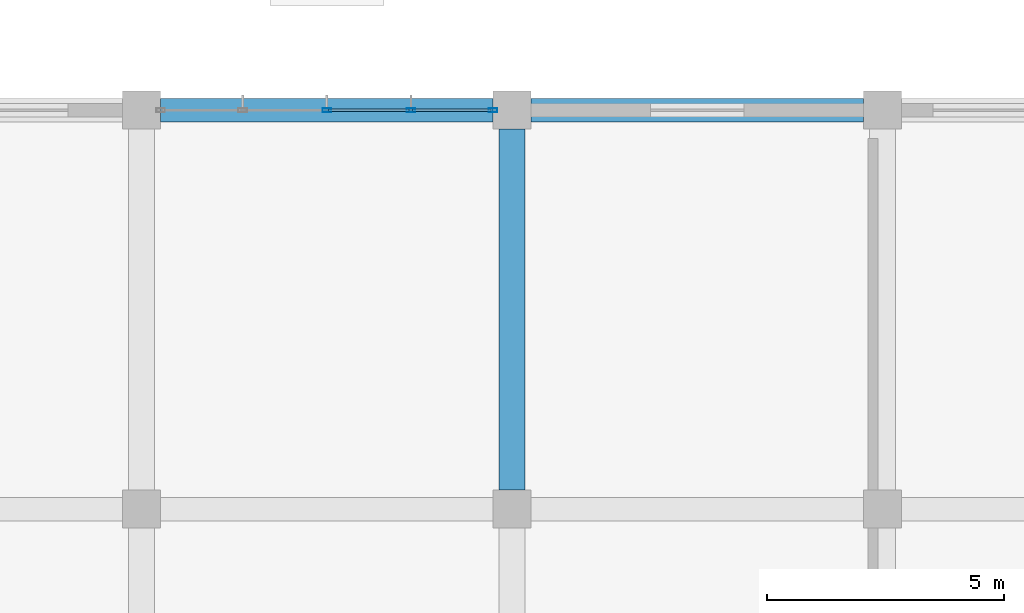
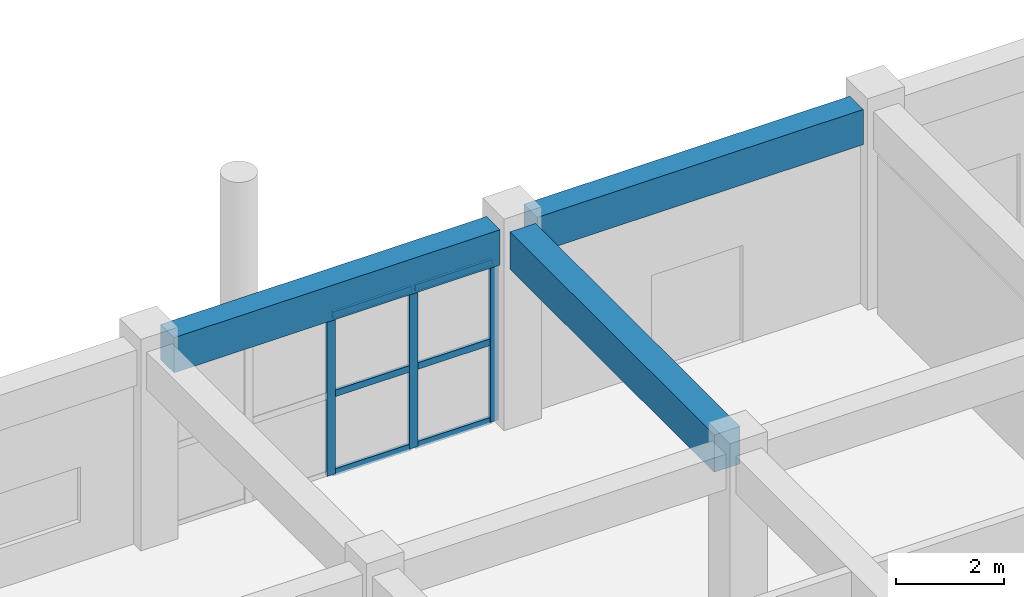
# One storey, part 94 of 139: 9 members, 3 beams, 1 element without a shape of its own.
"""IFC4 building model written with IfcOpenShell, lengths in metres."""

from ifc_helpers import new_model, si_unit, direction, frame, origin, origin_2d, place, context, subcontext, project, spatial, rectangle, hollow_rectangle, extrude, material, layer, layer_set, material_profile, profile_set, type_object, element, aggregate, save


model = new_model("IFC4")

# Units and contexts
model_context = context("Model", 3, precision=1e-05, world=origin(), true_north=direction((0.0, 1.0)))
body_context = subcontext(model_context, "Body", "Model", "MODEL_VIEW")
ifc_project = project(units=[si_unit("LENGTHUNIT", "METRE"), si_unit("AREAUNIT", "SQUARE_METRE"), si_unit("VOLUMEUNIT", "CUBIC_METRE"), si_unit("PLANEANGLEUNIT", "RADIAN"), si_unit("MASSUNIT", "GRAM", prefix="KILO")], contexts=[model_context])

# Site, building, storey
site_placement = place(None, origin())
site = spatial("IfcSite", under=ifc_project, at=site_placement, CompositionType="ELEMENT")
building_placement = place(site_placement, origin())
building = spatial("IfcBuilding", under=site, at=building_placement, Name="Zizhar Promenade General Hospital", CompositionType="ELEMENT")
storey_placement = place(building_placement, origin())
storey = spatial("IfcBuildingStorey", under=building, at=storey_placement, Name="L00", CompositionType="ELEMENT", Elevation=0.0)

# Beams
ifc_material_1 = material(Name="Concrete C35/45", Category="concrete")
ifc_material_profile_1 = material_profile(ifc_material_1, rectangle(XDim=0.5, YDim=0.800048828125, at=origin_2d()))
ifc_profile_set_1 = profile_set([ifc_material_profile_1], Name="Concrete C35/45")
beam_type_1 = type_object("IfcBeamType", Name="BM-RC-500x800", PredefinedType="BEAM", material=ifc_profile_set_1)
for number, where, z_axis, x_axis, name in (
    (1, (55.0, 134.39990234375, 4.070068359375), (1.0, 0.0, 0.0), (0.0, 1.0, 0.0), "Grid Beam X L00 (7-16)"),
    (2, (62.800048828125, 134.39990234375, 4.070068359375), (1.0, 0.0, 0.0), (0.0, 1.0, 0.0), "Grid Beam X L00 (8-16)"),
):
    element("IfcBeam", number, at=place(storey_placement, frame(where, z_axis=z_axis, x_axis=x_axis)), inside=storey, type_object=beam_type_1, Name=name, PredefinedType="BEAM", context=body_context, shape_type="SweptSolid", body=[
        extrude(rectangle(XDim=0.5, YDim=0.800048828125, at=origin_2d()), origin(), (0.0, 0.0, 1.0), 7.0),
    ])
ifc_material_2 = material(Name="Concrete C35/45", Category="concrete")
ifc_material_profile_2 = material_profile(ifc_material_2, rectangle(XDim=0.550048828125, YDim=0.85009765625, at=origin_2d()))
ifc_profile_set_2 = profile_set([ifc_material_profile_2], Name="Concrete C35/45")
beam_type_2 = type_object("IfcBeamType", Name="BM-RC-550x850", PredefinedType="BEAM", material=ifc_profile_set_2)
beam_placement = place(storey_placement, frame((62.39990234375, 126.39990234375, 4.044921875), z_axis=(0.0, 1.0, 0.0), x_axis=(-1.0, 0.0, 0.0)))
element("IfcBeam", 3, at=beam_placement, inside=storey, type_object=beam_type_2, Name="Grid Beam Y L00 (8-15)", PredefinedType="BEAM", context=body_context, shape_type="SweptSolid", body=[
    extrude(rectangle(XDim=0.550048828125, YDim=0.85009765625, at=origin_2d()), origin(), (0.0, 0.0, 1.0), 7.60009765625),
])

# Curtain wall, members
ifc_material_3 = material(Name="Anodised aluminium 6063-T6 and low-E glass", Category="aluminium")
ifc_layer = layer(ifc_material_3, 0.159912109375)
ifc_layer_set = layer_set([ifc_layer], Name="Anodised aluminium 6063-T6 and low-E glass")
curtain_wall_type = type_object("IfcCurtainWallType", Name="CW-DT-MOD2", PredefinedType="NOTDEFINED", material=ifc_layer_set)
curtain_wall_placement = place(storey_placement, origin())
curtain_wall = element("IfcCurtainWall", 4, at=curtain_wall_placement, inside=storey, type_object=curtain_wall_type, Name="Surgical North Glazed Curtain Wall L00-7", PredefinedType="NOTDEFINED")
ifc_material_4 = material(Name="Anodised aluminium 6063-T6", Category="aluminium")
ifc_material_profile_3 = material_profile(ifc_material_4, hollow_rectangle(XDim=0.080078125, YDim=0.179931640625, WallThickness=0.0048828125, at=origin_2d()))
ifc_profile_set_3 = profile_set([ifc_material_profile_3], Name="Anodised aluminium 6063-T6")
member_type_1 = type_object("IfcMemberType", Name="CWM-ALU-180x80", PredefinedType="MULLION", material=ifc_profile_set_3)
member_1_placement = place(storey_placement, frame((58.5, 134.39990234375, 0.0), z_axis=(0.0, 0.0, 1.0), x_axis=(0.0, 1.0, 0.0)))
member_1 = element("IfcMember", 5, at=member_1_placement, type_object=member_type_1, Name="CW-08 mullion 3", PredefinedType="MULLION", context=body_context, shape_type="SweptSolid", body=[
    extrude(hollow_rectangle(XDim=0.080078125, YDim=0.179931640625, WallThickness=0.0048828125, at=origin_2d()), origin(), (0.0, 0.0, 1.0), 3.6298828125),
])
member_2_placement = place(storey_placement, frame((60.27001953125, 134.39990234375, 0.0), z_axis=(0.0, 0.0, 1.0), x_axis=(0.0, 1.0, 0.0)))
member_2 = element("IfcMember", 6, at=member_2_placement, type_object=member_type_1, Name="CW-08 mullion 4", PredefinedType="MULLION", context=body_context, shape_type="SweptSolid", body=[
    extrude(hollow_rectangle(XDim=0.080078125, YDim=0.179931640625, WallThickness=0.0048828125, at=origin_2d()), origin(), (0.0, 0.0, 1.0), 3.6298828125),
])
member_3_placement = place(storey_placement, frame((62.0, 134.39990234375, 0.0), z_axis=(0.0, 0.0, 1.0), x_axis=(0.0, 1.0, 0.0)))
member_3 = element("IfcMember", 7, at=member_3_placement, type_object=member_type_1, Name="CW-08 mullion 5", PredefinedType="MULLION", context=body_context, shape_type="SweptSolid", body=[
    extrude(hollow_rectangle(XDim=0.080078125, YDim=0.179931640625, WallThickness=0.0048828125, at=origin_2d()), origin(), (0.0, 0.0, 1.0), 3.6298828125),
])
ifc_material_5 = material(Name="Anodised aluminium 6063-T6", Category="aluminium")
ifc_material_profile_4 = material_profile(ifc_material_5, hollow_rectangle(XDim=0.06005859375, YDim=0.14990234375, WallThickness=0.00390625, at=origin_2d()))
ifc_profile_set_4 = profile_set([ifc_material_profile_4], Name="Anodised aluminium 6063-T6")
member_type_2 = type_object("IfcMemberType", Name="CWT-ALU-150x60", PredefinedType="USERDEFINED", material=ifc_profile_set_4)
member_4_placement = place(storey_placement, frame((58.5400390625, 134.39990234375, 0.030029296875), z_axis=(1.0, 0.0, 0.0), x_axis=(0.0, 1.0, 0.0)))
member_4 = element("IfcMember", 8, at=member_4_placement, type_object=member_type_2, Name="CW-08 transom 3.1", ObjectType="TRANSOM", PredefinedType="USERDEFINED", context=body_context, shape_type="SweptSolid", body=[
    extrude(hollow_rectangle(XDim=0.06005859375, YDim=0.14990234375, WallThickness=0.00390625, at=origin_2d()), origin(), (0.0, 0.0, 1.0), 1.68994140625),
])
member_5_placement = place(storey_placement, frame((58.5400390625, 134.39990234375, 1.81494140625), z_axis=(1.0, 0.0, 0.0), x_axis=(0.0, 1.0, 0.0)))
member_5 = element("IfcMember", 9, at=member_5_placement, type_object=member_type_2, Name="CW-08 transom 3.2", ObjectType="TRANSOM", PredefinedType="USERDEFINED", context=body_context, shape_type="SweptSolid", body=[
    extrude(hollow_rectangle(XDim=0.06005859375, YDim=0.14990234375, WallThickness=0.00390625, at=origin_2d()), origin(), (0.0, 0.0, 1.0), 1.68994140625),
])
member_6_placement = place(storey_placement, frame((58.5400390625, 134.39990234375, 3.60009765625), z_axis=(1.0, 0.0, 0.0), x_axis=(0.0, 1.0, 0.0)))
member_6 = element("IfcMember", 10, at=member_6_placement, type_object=member_type_2, Name="CW-08 transom 3.3", ObjectType="TRANSOM", PredefinedType="USERDEFINED", context=body_context, shape_type="SweptSolid", body=[
    extrude(hollow_rectangle(XDim=0.06005859375, YDim=0.14990234375, WallThickness=0.00390625, at=origin_2d()), origin(), (0.0, 0.0, 1.0), 1.68994140625),
])
member_7_placement = place(storey_placement, frame((60.31005859375, 134.39990234375, 0.030029296875), z_axis=(1.0, 0.0, 0.0), x_axis=(0.0, 1.0, 0.0)))
member_7 = element("IfcMember", 11, at=member_7_placement, type_object=member_type_2, Name="CW-08 transom 4.1", ObjectType="TRANSOM", PredefinedType="USERDEFINED", context=body_context, shape_type="SweptSolid", body=[
    extrude(hollow_rectangle(XDim=0.06005859375, YDim=0.14990234375, WallThickness=0.00390625, at=origin_2d()), origin(), (0.0, 0.0, 1.0), 1.64990234375),
])
member_8_placement = place(storey_placement, frame((60.31005859375, 134.39990234375, 1.81494140625), z_axis=(1.0, 0.0, 0.0), x_axis=(0.0, 1.0, 0.0)))
member_8 = element("IfcMember", 12, at=member_8_placement, type_object=member_type_2, Name="CW-08 transom 4.2", ObjectType="TRANSOM", PredefinedType="USERDEFINED", context=body_context, shape_type="SweptSolid", body=[
    extrude(hollow_rectangle(XDim=0.06005859375, YDim=0.14990234375, WallThickness=0.00390625, at=origin_2d()), origin(), (0.0, 0.0, 1.0), 1.64990234375),
])
member_9_placement = place(storey_placement, frame((60.31005859375, 134.39990234375, 3.60009765625), z_axis=(1.0, 0.0, 0.0), x_axis=(0.0, 1.0, 0.0)))
member_9 = element("IfcMember", 13, at=member_9_placement, type_object=member_type_2, Name="CW-08 transom 4.3", ObjectType="TRANSOM", PredefinedType="USERDEFINED", context=body_context, shape_type="SweptSolid", body=[
    extrude(hollow_rectangle(XDim=0.06005859375, YDim=0.14990234375, WallThickness=0.00390625, at=origin_2d()), origin(), (0.0, 0.0, 1.0), 1.64990234375),
])
aggregate(curtain_wall, [member_1, member_2, member_3, member_4, member_5, member_6, member_7, member_8, member_9])

save(model, "model.ifc")
